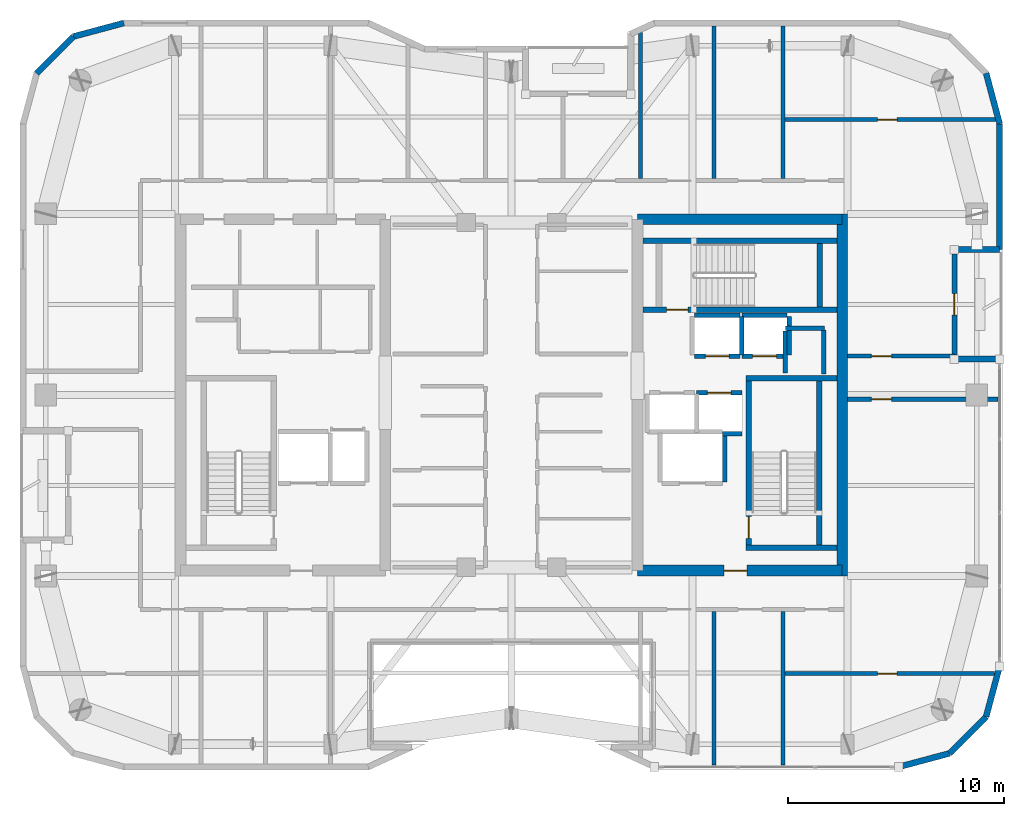
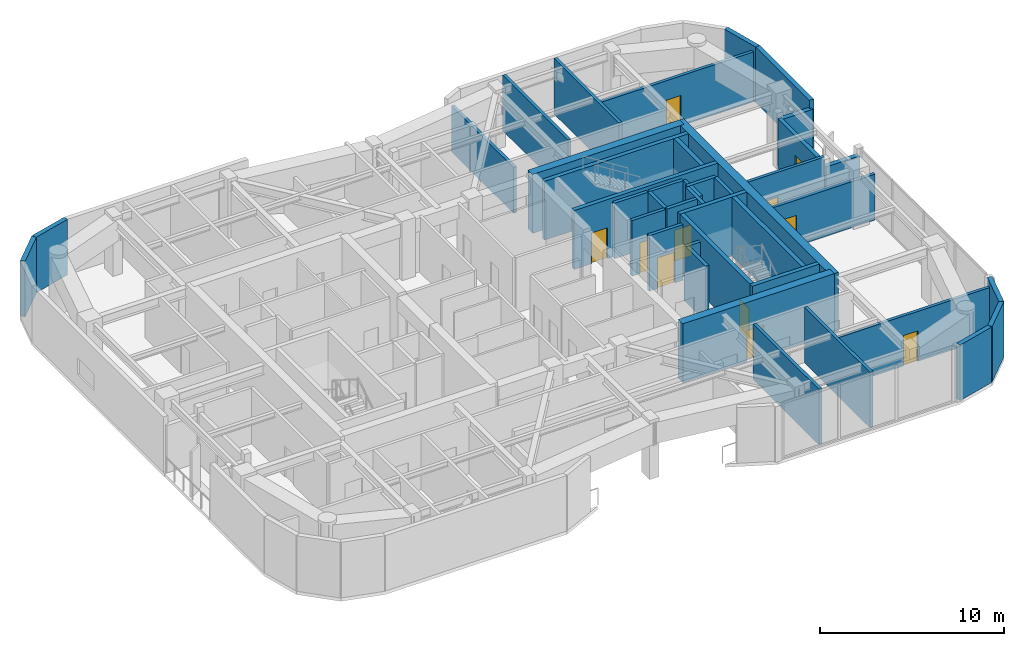
# One storey, part 13 of 16: 41 walls, 11 doors, 11 openings.
"""IFC4 building model written with IfcOpenShell, lengths in metres."""

from ifc_helpers import new_model, si_unit, direction, frame, frame_2d, origin, place, context, subcontext, project, spatial, rectangle, extrude, material, layer, layer_set, type_object, element, fill, save


model = new_model("IFC4")

# Units and contexts
model_context = context("Model", 3, precision=1e-05, world=origin(), true_north=direction((0.0, 1.0)))
body_context = subcontext(model_context, "Body", "Model", "MODEL_VIEW")
ifc_project = project(units=[si_unit("LENGTHUNIT", "METRE"), si_unit("AREAUNIT", "SQUARE_METRE"), si_unit("VOLUMEUNIT", "CUBIC_METRE"), si_unit("PLANEANGLEUNIT", "RADIAN"), si_unit("MASSUNIT", "GRAM", prefix="KILO")], contexts=[model_context])

# Site, building, storey
site_placement = place(None, origin())
site = spatial("IfcSite", under=ifc_project, at=site_placement, CompositionType="ELEMENT")
building_placement = place(site_placement, origin())
building = spatial("IfcBuilding", under=site, at=building_placement, Name="Kiyonajd Concourse Tower", CompositionType="ELEMENT")
storey_placement = place(building_placement, frame((0.0, 0.0, 298.5)))
storey = spatial("IfcBuildingStorey", under=building, at=storey_placement, Name="L75", CompositionType="ELEMENT", Elevation=298.5)

# Wall
ifc_material_1 = material(Name="Concrete C60/75", Category="concrete")
ifc_layer_1 = layer(ifc_material_1, 0.5)
ifc_layer_set_1 = layer_set([ifc_layer_1], Name="Concrete C60/75")
wall_type_1 = type_object("IfcWallType", Name="WL-CORE-500", PredefinedType="SHEAR", material=ifc_layer_set_1)
wall_1_placement = place(storey_placement, frame((63.35009765625, 27.60009765625, 0.0), z_axis=(0.0, 0.0, 1.0), x_axis=(0.0, 1.0, 0.0)))
element("IfcWall", 1, at=wall_1_placement, inside=storey, type_object=wall_type_1, Name="L75 East Core Outer Shear Wall", PredefinedType="SHEAR", context=body_context, shape_type="SweptSolid", body=[
    extrude(rectangle(XDim=16.7998046875, YDim=0.5, at=frame_2d((8.39990234375, 0.0))), origin(), (0.0, 0.0, 1.0), 3.89990234375),
])

# Wall, opening, door
wall_2_placement = place(storey_placement, frame((53.85009765625, 27.85009765625, 0.0), z_axis=(0.0, 0.0, 1.0), x_axis=(1.0, 0.0, 0.0)))
wall_2 = element("IfcWall", 2, at=wall_2_placement, inside=storey, type_object=wall_type_1, Name="L75 East Core South Shear Wall", PredefinedType="SHEAR", context=body_context, shape_type="SweptSolid", body=[
    extrude(rectangle(XDim=9.5, YDim=0.5, at=frame_2d((4.75, 0.0))), origin(), (0.0, 0.0, 1.0), 3.89990234375),
])
opening_1_placement = place(wall_2_placement, frame((4.02490234375, 0.0, 0.0)))
opening_1 = element("IfcOpeningElement", 3, at=opening_1_placement, cuts=wall_2, Name="Opening DF5", PredefinedType="OPENING", context=body_context, shape_type="SweptSolid", body=[
    extrude(rectangle(XDim=1.050048828125, YDim=2.0400390625, at=frame_2d((0.52490234375, 1.02001953125))), frame((0.0, 0.260009765625, 0.0), z_axis=(0.0, -1.0, 0.0), x_axis=(1.0, 0.0, 0.0)), (0.0, 0.0, 1.0), 0.52001953125),
])
ifc_material_2 = material(Name="Brushed Stainless Steel Cab Assembly", Category="steel")
door_type_1 = type_object("IfcDoorType", Name="DR-FD45-1050", OperationType="NOTDEFINED", PredefinedType="DOOR", material=ifc_material_2)
door_1_placement = place(opening_1_placement, origin())
door_1 = element("IfcDoor", 4, at=door_1_placement, inside=storey, type_object=door_type_1, Name="L75 Firefighting Lift Lobby E Smoke Door", OperationType="SINGLE_SWING_RIGHT", OverallHeight=2.0400390625, OverallWidth=1.050048828125, PredefinedType="DOOR", context=body_context, shape_type="SweptSolid", body=[
    extrude(rectangle(XDim=1.050048828125, YDim=2.0400390625, at=frame_2d((0.52490234375, 1.02001953125))), frame((0.0, 0.02490234375, 0.0), z_axis=(0.0, -1.0, 0.0), x_axis=(1.0, 0.0, 0.0)), (0.0, 0.0, 1.0), 0.050048828125),
])
fill(opening_1, door_1)

# Walls
wall_3_placement = place(storey_placement, frame((53.85009765625, 44.14990234375, 0.0), z_axis=(0.0, 0.0, 1.0), x_axis=(1.0, 0.0, 0.0)))
element("IfcWall", 5, at=wall_3_placement, inside=storey, type_object=wall_type_1, Name="L75 East Core North Shear Wall", PredefinedType="SHEAR", context=body_context, shape_type="SweptSolid", body=[
    extrude(rectangle(XDim=9.5, YDim=0.5, at=frame_2d((4.75, 0.0))), origin(), (0.0, 0.0, 1.0), 3.89990234375),
])
ifc_material_3 = material(Name="Precast concrete C50/60", Category="concrete")
ifc_layer_2 = layer(ifc_material_3, 0.280029296875)
ifc_layer_set_2 = layer_set([ifc_layer_2], Name="Precast concrete C50/60")
wall_type_2 = type_object("IfcWallType", Name="WL-EXT-280", PredefinedType="SOLIDWALL", material=ifc_layer_set_2)
wall_4_placement = place(storey_placement, frame((70.031494140625, 50.927490234375, 0.0), z_axis=(0.0, 0.0, 1.0), x_axis=(0.258751159445, -0.965944013639, 0.0)))
element("IfcWall", 6, at=wall_4_placement, inside=storey, type_object=wall_type_2, Name="L75 Exterior Concrete Frame Wall 00", PredefinedType="SOLIDWALL", context=body_context, shape_type="SweptSolid", body=[
    extrude(rectangle(XDim=2.4287109375, YDim=0.280029296875, at=frame_2d((1.21435546875, 0.0))), origin(), (0.0, 0.0, 1.0), 3.679931640625),
])
wall_5_placement = place(storey_placement, frame((70.659912109375, 48.58154296875, 0.0), z_axis=(0.0, 0.0, 1.0), x_axis=(0.0, -1.0, 0.0)))
element("IfcWall", 7, at=wall_5_placement, inside=storey, type_object=wall_type_2, Name="L75 Exterior Concrete Frame Wall 01", PredefinedType="SOLIDWALL", context=body_context, shape_type="SweptSolid", body=[
    extrude(rectangle(XDim=5.841552734375, YDim=0.280029296875, at=frame_2d((2.9208984375, 0.0))), origin(), (0.0, 0.0, 1.0), 3.679931640625),
])
for number, where, z_axis, x_axis, name in (
    (8, (70.659912109375, 42.739990234375, 0.0), (0.0, 0.0, 1.0), (-1.0, 0.0, 0.0), "L75 Exterior Concrete Frame Wall 02"),
    (9, (68.56005859375, 37.659912109375, 0.0), (0.0, 0.0, 1.0), (1.0, 0.0, 0.0), "L75 Exterior Concrete Frame Wall 04"),
):
    element("IfcWall", number, at=place(storey_placement, frame(where, z_axis=z_axis, x_axis=x_axis)), inside=storey, type_object=wall_type_2, Name=name, PredefinedType="SOLIDWALL", context=body_context, shape_type="SweptSolid", body=[
        extrude(rectangle(XDim=2.099853515625, YDim=0.280029296875, at=frame_2d((1.0498046875, 0.0))), origin(), (0.0, 0.0, 1.0), 3.1259765625),
    ])
wall_6_placement = place(storey_placement, frame((70.659912109375, 23.41845703125, 0.0), z_axis=(0.0, 0.0, 1.0), x_axis=(-0.258751159445, -0.965944013639, 0.0)))
element("IfcWall", 10, at=wall_6_placement, inside=storey, type_object=wall_type_2, Name="L75 Exterior Concrete Frame Wall 06", PredefinedType="SOLIDWALL", context=body_context, shape_type="SweptSolid", body=[
    extrude(rectangle(XDim=2.4287109375, YDim=0.280029296875, at=frame_2d((1.21435546875, 0.0))), origin(), (0.0, 0.0, 1.0), 3.679931640625),
])
wall_7_placement = place(storey_placement, frame((70.031494140625, 21.072509765625, 0.0), z_axis=(0.0, 0.0, 1.0), x_axis=(-0.707106781187, -0.707106781187, 0.0)))
element("IfcWall", 11, at=wall_7_placement, inside=storey, type_object=wall_type_2, Name="L75 Exterior Concrete Frame Wall 07", PredefinedType="SOLIDWALL", context=body_context, shape_type="SweptSolid", body=[
    extrude(rectangle(XDim=2.409912109375, YDim=0.280029296875, at=frame_2d((1.205078125, 0.0))), origin(), (0.0, 0.0, 1.0), 3.679931640625),
])
wall_8_placement = place(storey_placement, frame((68.327392578125, 19.368408203125, 0.0), z_axis=(0.0, 0.0, 1.0), x_axis=(-0.965937282298, -0.25877628691, 0.0)))
element("IfcWall", 12, at=wall_8_placement, inside=storey, type_object=wall_type_2, Name="L75 Exterior Concrete Frame Wall 08", PredefinedType="SOLIDWALL", context=body_context, shape_type="SweptSolid", body=[
    extrude(rectangle(XDim=2.428466796875, YDim=0.280029296875, at=frame_2d((1.21435546875, 0.0))), origin(), (0.0, 0.0, 1.0), 3.679931640625),
])
wall_9_placement = place(storey_placement, frame((25.968505859375, 50.927490234375, 0.0), z_axis=(0.0, 0.0, 1.0), x_axis=(0.707106781187, 0.707106781187, 0.0)))
element("IfcWall", 13, at=wall_9_placement, inside=storey, type_object=wall_type_2, Name="L75 Exterior Concrete Frame Wall 27", PredefinedType="SOLIDWALL", context=body_context, shape_type="SweptSolid", body=[
    extrude(rectangle(XDim=2.409912109375, YDim=0.280029296875, at=frame_2d((1.205078125, 0.0))), origin(), (0.0, 0.0, 1.0), 3.679931640625),
])
wall_10_placement = place(storey_placement, frame((27.672607421875, 52.631591796875, 0.0), z_axis=(0.0, 0.0, 1.0), x_axis=(0.965937282298, 0.25877628691, 0.0)))
element("IfcWall", 14, at=wall_10_placement, inside=storey, type_object=wall_type_2, Name="L75 Exterior Concrete Frame Wall 28", PredefinedType="SOLIDWALL", context=body_context, shape_type="SweptSolid", body=[
    extrude(rectangle(XDim=2.428466796875, YDim=0.280029296875, at=frame_2d((1.21435546875, 0.0))), origin(), (0.0, 0.0, 1.0), 3.679931640625),
])

# Wall, opening, door
ifc_layer_3 = layer(ifc_material_3, 0.239990234375)
ifc_layer_set_3 = layer_set([ifc_layer_3], Name="Precast concrete C50/60")
wall_type_3 = type_object("IfcWallType", Name="WL-LOG-240", PredefinedType="SOLIDWALL", material=ifc_layer_set_3)
wall_11_placement = place(storey_placement, frame((68.56005859375, 42.544921875, 0.0), z_axis=(0.0, 0.0, 1.0), x_axis=(0.0, -1.0, 0.0)))
wall_11 = element("IfcWall", 15, at=wall_11_placement, inside=storey, type_object=wall_type_3, Name="L75 Recessed Loggia Thermal Wall LOG-E", PredefinedType="SOLIDWALL", context=body_context, shape_type="SweptSolid", body=[
    extrude(rectangle(XDim=4.68994140625, YDim=0.239990234375, at=frame_2d((2.344970703125, 0.0))), origin(), (0.0, 0.0, 1.0), 3.31103515625),
])
opening_2_placement = place(wall_11_placement, frame((1.844970703125, 0.0, 0.0)))
opening_2 = element("IfcOpeningElement", 16, at=opening_2_placement, cuts=wall_11, Name="Opening DL1", PredefinedType="OPENING", context=body_context, shape_type="SweptSolid", body=[
    extrude(rectangle(XDim=1.0, YDim=2.02001953125, at=frame_2d((0.5, 1.010009765625))), frame((0.0, 0.1298828125, 0.0), z_axis=(0.0, -1.0, 0.0), x_axis=(1.0, 0.0, 0.0)), (0.0, 0.0, 1.0), 0.260009765625),
])
ifc_material_4 = material(Name="Thermally Broken Anodised Aluminium", Category="aluminium")
door_type_2 = type_object("IfcDoorType", Name="DR-LOG-1000", OperationType="NOTDEFINED", PredefinedType="DOOR", material=ifc_material_4)
door_2_placement = place(opening_2_placement, origin())
door_2 = element("IfcDoor", 17, at=door_2_placement, inside=storey, type_object=door_type_2, Name="L75 Engawa Loggia Access Door LOG-E", OperationType="SINGLE_SWING_RIGHT", OverallHeight=2.02001953125, OverallWidth=1.0, PredefinedType="DOOR", context=body_context, shape_type="SweptSolid", body=[
    extrude(rectangle(XDim=1.0, YDim=2.02001953125, at=frame_2d((0.5, 1.010009765625))), frame((0.0, 0.02490234375, 0.0), z_axis=(0.0, -1.0, 0.0), x_axis=(1.0, 0.0, 0.0)), (0.0, 0.0, 1.0), 0.050048828125),
])
fill(opening_2, door_2)

# Wall
ifc_material_5 = material(Name="Gypsum Board on Cold-Formed Steel Stud", Category="steel")
ifc_layer_4 = layer(ifc_material_5, 0.18994140625)
ifc_layer_set_4 = layer_set([ifc_layer_4], Name="Gypsum Board on Cold-Formed Steel Stud")
wall_type_4 = type_object("IfcWallType", Name="WL-PLMB-190", PredefinedType="PLUMBINGWALL", material=ifc_layer_set_4)
wall_12_placement = place(storey_placement, frame((57.39990234375, 18.824951171875, 0.0), z_axis=(0.0, 0.0, 1.0), x_axis=(0.0, 1.0, 0.0)))
element("IfcWall", 18, at=wall_12_placement, inside=storey, type_object=wall_type_4, Name="L75 Interior Partition Wall", PredefinedType="PLUMBINGWALL", context=body_context, shape_type="SweptSolid", body=[
    extrude(rectangle(XDim=7.1279296875, YDim=0.18994140625, at=frame_2d((3.56396484375, 0.0))), origin(), (0.0, 0.0, 1.0), 3.679931640625),
])

# Wall, opening, door
wall_13_placement = place(storey_placement, frame((60.60009765625, 23.070068359375, 0.0), z_axis=(0.0, 0.0, 1.0), x_axis=(1.0, 0.0, 0.0)))
wall_13 = element("IfcWall", 19, at=wall_13_placement, inside=storey, type_object=wall_type_4, Name="L75 Interior Partition Wall", PredefinedType="PLUMBINGWALL", context=body_context, shape_type="SweptSolid", body=[
    extrude(rectangle(XDim=9.824951171875, YDim=0.18994140625, at=frame_2d((4.91259765625, 0.0))), origin(), (0.0, 0.0, 1.0), 3.31103515625),
])
opening_3_placement = place(wall_13_placement, frame((4.39990234375, 0.0, 0.0)))
opening_3 = element("IfcOpeningElement", 20, at=opening_3_placement, cuts=wall_13, Name="Opening DI2", PredefinedType="OPENING", context=body_context, shape_type="SweptSolid", body=[
    extrude(rectangle(XDim=0.89990234375, YDim=2.02001953125, at=frame_2d((0.449951171875, 1.010009765625))), frame((0.0, 0.10498046875, 0.0), z_axis=(0.0, -1.0, 0.0), x_axis=(1.0, 0.0, 0.0)), (0.0, 0.0, 1.0), 0.2099609375),
])
ifc_material_6 = material(Name="Natural Oak Acoustic Timber Veneer", Category="wood")
door_type_3 = type_object("IfcDoorType", Name="DR-INT-900", OperationType="NOTDEFINED", PredefinedType="DOOR", material=ifc_material_6)
door_3_placement = place(opening_3_placement, origin())
door_3 = element("IfcDoor", 21, at=door_3_placement, inside=storey, type_object=door_type_3, Name="L75 Interior Door", OperationType="SINGLE_SWING_RIGHT", OverallHeight=2.02001953125, OverallWidth=0.89990234375, PredefinedType="DOOR", context=body_context, shape_type="SweptSolid", body=[
    extrude(rectangle(XDim=0.89990234375, YDim=2.02001953125, at=frame_2d((0.449951171875, 1.010009765625))), frame((0.0, 0.02490234375, 0.0), z_axis=(0.0, -1.0, 0.0), x_axis=(1.0, 0.0, 0.0)), (0.0, 0.0, 1.0), 0.050048828125),
])
fill(opening_3, door_3)

# Walls
wall_14_placement = place(storey_placement, frame((60.60009765625, 18.824951171875, 0.0), z_axis=(0.0, 0.0, 1.0), x_axis=(0.0, 1.0, 0.0)))
element("IfcWall", 22, at=wall_14_placement, inside=storey, type_object=wall_type_4, Name="L75 Interior Partition Wall", PredefinedType="PLUMBINGWALL", context=body_context, shape_type="SweptSolid", body=[
    extrude(rectangle(XDim=7.1279296875, YDim=0.18994140625, at=frame_2d((3.56396484375, 0.0))), origin(), (0.0, 0.0, 1.0), 3.679931640625),
])
wall_15_placement = place(storey_placement, frame((54.0, 46.047119140625, 0.0), z_axis=(0.0, 0.0, 1.0), x_axis=(0.0, 1.0, 0.0)))
element("IfcWall", 23, at=wall_15_placement, inside=storey, type_object=wall_type_4, Name="L75 Interior Partition Wall", PredefinedType="PLUMBINGWALL", context=body_context, shape_type="SweptSolid", body=[
    extrude(rectangle(XDim=6.769775390625, YDim=0.18994140625, at=frame_2d((3.384765625, 0.0))), origin(), (0.0, 0.0, 1.0), 3.04296875),
])
wall_16_placement = place(storey_placement, frame((57.39990234375, 46.047119140625, 0.0), z_axis=(0.0, 0.0, 1.0), x_axis=(0.0, 1.0, 0.0)))
element("IfcWall", 24, at=wall_16_placement, inside=storey, type_object=wall_type_4, Name="L75 Interior Partition Wall", PredefinedType="PLUMBINGWALL", context=body_context, shape_type="SweptSolid", body=[
    extrude(rectangle(XDim=7.077880859375, YDim=0.18994140625, at=frame_2d((3.5390625, 0.0))), origin(), (0.0, 0.0, 1.0), 3.679931640625),
])

# Wall, opening, door
wall_17_placement = place(storey_placement, frame((60.60009765625, 48.780029296875, 0.0), z_axis=(0.0, 0.0, 1.0), x_axis=(1.0, 0.0, 0.0)))
wall_17 = element("IfcWall", 25, at=wall_17_placement, inside=storey, type_object=wall_type_4, Name="L75 Interior Partition Wall", PredefinedType="PLUMBINGWALL", context=body_context, shape_type="SweptSolid", body=[
    extrude(rectangle(XDim=9.864990234375, YDim=0.18994140625, at=frame_2d((4.9326171875, 0.0))), origin(), (0.0, 0.0, 1.0), 3.31103515625),
])
opening_4_placement = place(wall_17_placement, frame((4.39990234375, 0.0, 0.0)))
opening_4 = element("IfcOpeningElement", 26, at=opening_4_placement, cuts=wall_17, Name="Opening DI2", PredefinedType="OPENING", context=body_context, shape_type="SweptSolid", body=[
    extrude(rectangle(XDim=0.89990234375, YDim=2.02001953125, at=frame_2d((0.449951171875, 1.010009765625))), frame((0.0, 0.10498046875, 0.0), z_axis=(0.0, -1.0, 0.0), x_axis=(1.0, 0.0, 0.0)), (0.0, 0.0, 1.0), 0.2099609375),
])
door_4_placement = place(opening_4_placement, origin())
door_4 = element("IfcDoor", 27, at=door_4_placement, inside=storey, type_object=door_type_3, Name="L75 Interior Door", OperationType="SINGLE_SWING_LEFT", OverallHeight=2.02001953125, OverallWidth=0.89990234375, PredefinedType="DOOR", context=body_context, shape_type="SweptSolid", body=[
    extrude(rectangle(XDim=0.89990234375, YDim=2.02001953125, at=frame_2d((0.449951171875, 1.010009765625))), frame((0.0, 0.02490234375, 0.0), z_axis=(0.0, -1.0, 0.0), x_axis=(1.0, 0.0, 0.0)), (0.0, 0.0, 1.0), 0.050048828125),
])
fill(opening_4, door_4)

# Wall
wall_18_placement = place(storey_placement, frame((60.60009765625, 46.047119140625, 0.0), z_axis=(0.0, 0.0, 1.0), x_axis=(0.0, 1.0, 0.0)))
element("IfcWall", 28, at=wall_18_placement, inside=storey, type_object=wall_type_4, Name="L75 Interior Partition Wall", PredefinedType="PLUMBINGWALL", context=body_context, shape_type="SweptSolid", body=[
    extrude(rectangle(XDim=7.077880859375, YDim=0.18994140625, at=frame_2d((3.5390625, 0.0))), origin(), (0.0, 0.0, 1.0), 3.679931640625),
])

# Wall, opening, door
wall_19_placement = place(storey_placement, frame((63.60009765625, 35.800048828125, 0.0), z_axis=(0.0, 0.0, 1.0), x_axis=(1.0, 0.0, 0.0)))
wall_19 = element("IfcWall", 29, at=wall_19_placement, inside=storey, type_object=wall_type_4, Name="L75 Interior Partition Wall", PredefinedType="PLUMBINGWALL", context=body_context, shape_type="SweptSolid", body=[
    extrude(rectangle(XDim=6.974853515625, YDim=0.18994140625, at=frame_2d((3.4873046875, 0.0))), origin(), (0.0, 0.0, 1.0), 3.053955078125),
])
opening_5_placement = place(wall_19_placement, frame((1.10009765625, 0.0, 0.0)))
opening_5 = element("IfcOpeningElement", 30, at=opening_5_placement, cuts=wall_19, Name="Opening DI1", PredefinedType="OPENING", context=body_context, shape_type="SweptSolid", body=[
    extrude(rectangle(XDim=0.949951171875, YDim=2.0400390625, at=frame_2d((0.47509765625, 1.02001953125))), frame((0.0, 0.10498046875, 0.0), z_axis=(0.0, -1.0, 0.0), x_axis=(1.0, 0.0, 0.0)), (0.0, 0.0, 1.0), 0.2099609375),
])
door_type_4 = type_object("IfcDoorType", Name="DR-INT-950", OperationType="NOTDEFINED", PredefinedType="DOOR", material=ifc_material_6)
door_5_placement = place(opening_5_placement, origin())
door_5 = element("IfcDoor", 31, at=door_5_placement, inside=storey, type_object=door_type_4, Name="L75 Interior Door", OperationType="SINGLE_SWING_LEFT", OverallHeight=2.0400390625, OverallWidth=0.949951171875, PredefinedType="DOOR", context=body_context, shape_type="SweptSolid", body=[
    extrude(rectangle(XDim=0.949951171875, YDim=2.0400390625, at=frame_2d((0.47509765625, 1.02001953125))), frame((0.0, 0.02490234375, 0.0), z_axis=(0.0, -1.0, 0.0), x_axis=(1.0, 0.0, 0.0)), (0.0, 0.0, 1.0), 0.050048828125),
])
fill(opening_5, door_5)

wall_20_placement = place(storey_placement, frame((63.60009765625, 37.800048828125, 0.0), z_axis=(0.0, 0.0, 1.0), x_axis=(1.0, 0.0, 0.0)))
wall_20 = element("IfcWall", 32, at=wall_20_placement, inside=storey, type_object=wall_type_4, Name="L75 Interior Partition Wall", PredefinedType="PLUMBINGWALL", context=body_context, shape_type="SweptSolid", body=[
    extrude(rectangle(XDim=4.9599609375, YDim=0.18994140625, at=frame_2d((2.47998046875, 0.0))), origin(), (0.0, 0.0, 1.0), 3.679931640625),
])
opening_6_placement = place(wall_20_placement, frame((1.10009765625, 0.0, 0.0)))
opening_6 = element("IfcOpeningElement", 33, at=opening_6_placement, cuts=wall_20, Name="Opening DI1", PredefinedType="OPENING", context=body_context, shape_type="SweptSolid", body=[
    extrude(rectangle(XDim=0.949951171875, YDim=2.0400390625, at=frame_2d((0.47509765625, 1.02001953125))), frame((0.0, 0.10498046875, 0.0), z_axis=(0.0, -1.0, 0.0), x_axis=(1.0, 0.0, 0.0)), (0.0, 0.0, 1.0), 0.2099609375),
])
door_6_placement = place(opening_6_placement, origin())
door_6 = element("IfcDoor", 34, at=door_6_placement, inside=storey, type_object=door_type_4, Name="L75 Interior Door", OperationType="SINGLE_SWING_RIGHT", OverallHeight=2.0400390625, OverallWidth=0.949951171875, PredefinedType="DOOR", context=body_context, shape_type="SweptSolid", body=[
    extrude(rectangle(XDim=0.949951171875, YDim=2.0400390625, at=frame_2d((0.47509765625, 1.02001953125))), frame((0.0, 0.02490234375, 0.0), z_axis=(0.0, -1.0, 0.0), x_axis=(1.0, 0.0, 0.0)), (0.0, 0.0, 1.0), 0.050048828125),
])
fill(opening_6, door_6)

# Walls
ifc_layer_5 = layer(ifc_material_5, 0.2099609375)
ifc_layer_set_5 = layer_set([ifc_layer_5], Name="Gypsum Board on Cold-Formed Steel Stud")
wall_type_5 = type_object("IfcWallType", Name="WL-SHAFT-210", PredefinedType="PARTITIONING", material=ifc_layer_set_5)
wall_21_placement = place(storey_placement, frame((60.719970703125, 39.10009765625, 0.0), z_axis=(0.0, 0.0, 1.0), x_axis=(1.0, 0.0, 0.0)))
element("IfcWall", 35, at=wall_21_placement, inside=storey, type_object=wall_type_5, Name="L75 Shaft Enclosure Wall", PredefinedType="PARTITIONING", context=body_context, shape_type="SweptSolid", body=[
    extrude(rectangle(XDim=1.800048828125, YDim=0.2099609375, at=frame_2d((0.89990234375, 0.0))), origin(), (0.0, 0.0, 1.0), 3.679931640625),
])
wall_22_placement = place(storey_placement, frame((60.699951171875, 37.02001953125, 0.0), z_axis=(0.0, 0.0, 1.0), x_axis=(0.0, 1.0, 0.0)))
element("IfcWall", 36, at=wall_22_placement, inside=storey, type_object=wall_type_5, Name="L75 Shaft Enclosure Wall", PredefinedType="PARTITIONING", context=body_context, shape_type="SweptSolid", body=[
    extrude(rectangle(XDim=1.9599609375, YDim=0.2099609375, at=frame_2d((0.97998046875, 0.0))), origin(), (0.0, 0.0, 1.0), 3.679931640625),
])
wall_23_placement = place(storey_placement, frame((62.5, 36.97998046875, 0.0), z_axis=(0.0, 0.0, 1.0), x_axis=(0.0, 1.0, 0.0)))
element("IfcWall", 37, at=wall_23_placement, inside=storey, type_object=wall_type_5, Name="L75 Shaft Enclosure Wall", PredefinedType="PARTITIONING", context=body_context, shape_type="SweptSolid", body=[
    extrude(rectangle(XDim=2.0400390625, YDim=0.2099609375, at=frame_2d((1.02001953125, 0.0))), origin(), (0.0, 0.0, 1.0), 3.679931640625),
])
wall_24_placement = place(storey_placement, frame((57.89990234375, 31.9599609375, 0.0), z_axis=(0.0, 0.0, 1.0), x_axis=(0.0, 1.0, 0.0)))
element("IfcWall", 38, at=wall_24_placement, inside=storey, type_object=wall_type_5, Name="L75 Shaft Enclosure Wall", PredefinedType="PARTITIONING", context=body_context, shape_type="SweptSolid", body=[
    extrude(rectangle(XDim=2.280029296875, YDim=0.2099609375, at=frame_2d((1.14013671875, 0.0))), origin(), (0.0, 0.0, 1.0), 3.679931640625),
])

# Wall, opening, door
wall_25_placement = place(storey_placement, frame((56.60009765625, 36.10009765625, 0.0), z_axis=(0.0, 0.0, 1.0), x_axis=(1.0, 0.0, 0.0)))
wall_25 = element("IfcWall", 39, at=wall_25_placement, inside=storey, type_object=wall_type_5, Name="L75 Shaft Enclosure Wall", PredefinedType="PARTITIONING", context=body_context, shape_type="SweptSolid", body=[
    extrude(rectangle(XDim=2.099853515625, YDim=0.2099609375, at=frame_2d((1.0498046875, 0.0))), origin(), (0.0, 0.0, 1.0), 3.679931640625),
])
opening_7_placement = place(wall_25_placement, frame((0.5, 0.0, 0.0)))
opening_7 = element("IfcOpeningElement", 40, at=opening_7_placement, cuts=wall_25, Name="Opening LD1", PredefinedType="OPENING", context=body_context, shape_type="SweptSolid", body=[
    extrude(rectangle(XDim=1.10009765625, YDim=2.0400390625, at=frame_2d((0.550048828125, 1.02001953125))), frame((0.0, 0.114990234375, 0.0), z_axis=(0.0, -1.0, 0.0), x_axis=(1.0, 0.0, 0.0)), (0.0, 0.0, 1.0), 0.22998046875),
])
door_type_5 = type_object("IfcDoorType", Name="DR-LD-1100", OperationType="DOUBLE_DOOR_SLIDING", PredefinedType="DOOR", material=ifc_material_2)
door_7_placement = place(opening_7_placement, origin())
door_7 = element("IfcDoor", 41, at=door_7_placement, inside=storey, type_object=door_type_5, Name="L75 Lift PL-H2 Sliding Landing Door", OperationType="DOUBLE_DOOR_SLIDING", OverallHeight=2.0400390625, OverallWidth=1.10009765625, PredefinedType="DOOR", context=body_context, shape_type="SweptSolid", body=[
    extrude(rectangle(XDim=1.10009765625, YDim=2.0400390625, at=frame_2d((0.550048828125, 1.02001953125))), frame((0.0, 0.02490234375, 0.0), z_axis=(0.0, -1.0, 0.0), x_axis=(1.0, 0.0, 0.0)), (0.0, 0.0, 1.0), 0.050048828125),
])
fill(opening_7, door_7)

# Wall
wall_26_placement = place(storey_placement, frame((57.800048828125, 34.199951171875, 0.0), z_axis=(0.0, 0.0, 1.0), x_axis=(1.0, 0.0, 0.0)))
element("IfcWall", 42, at=wall_26_placement, inside=storey, type_object=wall_type_5, Name="L75 Shaft Enclosure Wall", PredefinedType="PARTITIONING", context=body_context, shape_type="SweptSolid", body=[
    extrude(rectangle(XDim=0.89990234375, YDim=0.2099609375, at=frame_2d((0.449951171875, 0.0))), origin(), (0.0, 0.0, 1.0), 3.679931640625),
])

# Wall, opening, door
wall_27_placement = place(storey_placement, frame((56.5, 37.800048828125, 0.0), z_axis=(0.0, 0.0, 1.0), x_axis=(1.0, 0.0, 0.0)))
wall_27 = element("IfcWall", 43, at=wall_27_placement, inside=storey, type_object=wall_type_5, Name="L75 Shaft Enclosure Wall", PredefinedType="PARTITIONING", context=body_context, shape_type="SweptSolid", body=[
    extrude(rectangle(XDim=2.10009765625, YDim=0.2099609375, at=frame_2d((1.050048828125, 0.0))), origin(), (0.0, 0.0, 1.0), 3.679931640625),
])
opening_8_placement = place(wall_27_placement, frame((0.5, 0.0, 0.0)))
opening_8 = element("IfcOpeningElement", 44, at=opening_8_placement, cuts=wall_27, Name="Opening LD1", PredefinedType="OPENING", context=body_context, shape_type="SweptSolid", body=[
    extrude(rectangle(XDim=1.10009765625, YDim=2.0400390625, at=frame_2d((0.550048828125, 1.02001953125))), frame((0.0, 0.114990234375, 0.0), z_axis=(0.0, -1.0, 0.0), x_axis=(1.0, 0.0, 0.0)), (0.0, 0.0, 1.0), 0.22998046875),
])
door_8_placement = place(opening_8_placement, origin())
door_8 = element("IfcDoor", 45, at=door_8_placement, inside=storey, type_object=door_type_5, Name="L75 Lift PL-H3 Sliding Landing Door", OperationType="DOUBLE_DOOR_SLIDING", OverallHeight=2.0400390625, OverallWidth=1.10009765625, PredefinedType="DOOR", context=body_context, shape_type="SweptSolid", body=[
    extrude(rectangle(XDim=1.10009765625, YDim=2.0400390625, at=frame_2d((0.550048828125, 1.02001953125))), frame((0.0, 0.02490234375, 0.0), z_axis=(0.0, -1.0, 0.0), x_axis=(1.0, 0.0, 0.0)), (0.0, 0.0, 1.0), 0.050048828125),
])
fill(opening_8, door_8)

# Walls
wall_28_placement = place(storey_placement, frame((56.5, 39.699951171875, 0.0), z_axis=(0.0, 0.0, 1.0), x_axis=(1.0, 0.0, 0.0)))
element("IfcWall", 46, at=wall_28_placement, inside=storey, type_object=wall_type_5, Name="L75 Shaft Enclosure Wall", PredefinedType="PARTITIONING", context=body_context, shape_type="SweptSolid", body=[
    extrude(rectangle(XDim=2.10009765625, YDim=0.2099609375, at=frame_2d((1.050048828125, 0.0))), origin(), (0.0, 0.0, 1.0), 3.679931640625),
])
wall_29_placement = place(storey_placement, frame((58.699951171875, 37.860107421875, 0.0), z_axis=(0.0, 0.0, 1.0), x_axis=(0.0, 1.0, 0.0)))
element("IfcWall", 47, at=wall_29_placement, inside=storey, type_object=wall_type_5, Name="L75 Shaft Enclosure Wall", PredefinedType="PARTITIONING", context=body_context, shape_type="SweptSolid", body=[
    extrude(rectangle(XDim=1.77978515625, YDim=0.2099609375, at=frame_2d((0.889892578125, 0.0))), origin(), (0.0, 0.0, 1.0), 3.679931640625),
])

# Wall, opening, door
wall_30_placement = place(storey_placement, frame((58.699951171875, 37.800048828125, 0.0), z_axis=(0.0, 0.0, 1.0), x_axis=(1.0, 0.0, 0.0)))
wall_30 = element("IfcWall", 48, at=wall_30_placement, inside=storey, type_object=wall_type_5, Name="L75 Shaft Enclosure Wall", PredefinedType="PARTITIONING", context=body_context, shape_type="SweptSolid", body=[
    extrude(rectangle(XDim=2.10009765625, YDim=0.2099609375, at=frame_2d((1.050048828125, 0.0))), origin(), (0.0, 0.0, 1.0), 3.679931640625),
])
opening_9_placement = place(wall_30_placement, frame((0.5, 0.0, 0.0)))
opening_9 = element("IfcOpeningElement", 49, at=opening_9_placement, cuts=wall_30, Name="Opening LD1", PredefinedType="OPENING", context=body_context, shape_type="SweptSolid", body=[
    extrude(rectangle(XDim=1.10009765625, YDim=2.0400390625, at=frame_2d((0.550048828125, 1.02001953125))), frame((0.0, 0.114990234375, 0.0), z_axis=(0.0, -1.0, 0.0), x_axis=(1.0, 0.0, 0.0)), (0.0, 0.0, 1.0), 0.22998046875),
])
door_9_placement = place(opening_9_placement, origin())
door_9 = element("IfcDoor", 50, at=door_9_placement, inside=storey, type_object=door_type_5, Name="L75 Lift PL-H4 Sliding Landing Door", OperationType="DOUBLE_DOOR_SLIDING", OverallHeight=2.0400390625, OverallWidth=1.10009765625, PredefinedType="DOOR", context=body_context, shape_type="SweptSolid", body=[
    extrude(rectangle(XDim=1.10009765625, YDim=2.0400390625, at=frame_2d((0.550048828125, 1.02001953125))), frame((0.0, 0.02490234375, 0.0), z_axis=(0.0, -1.0, 0.0), x_axis=(1.0, 0.0, 0.0)), (0.0, 0.0, 1.0), 0.050048828125),
])
fill(opening_9, door_9)

# Walls
wall_31_placement = place(storey_placement, frame((58.699951171875, 39.699951171875, 0.0), z_axis=(0.0, 0.0, 1.0), x_axis=(1.0, 0.0, 0.0)))
element("IfcWall", 51, at=wall_31_placement, inside=storey, type_object=wall_type_5, Name="L75 Shaft Enclosure Wall", PredefinedType="PARTITIONING", context=body_context, shape_type="SweptSolid", body=[
    extrude(rectangle(XDim=2.10009765625, YDim=0.2099609375, at=frame_2d((1.050048828125, 0.0))), origin(), (0.0, 0.0, 1.0), 3.679931640625),
])
wall_32_placement = place(storey_placement, frame((60.89990234375, 37.860107421875, 0.0), z_axis=(0.0, 0.0, 1.0), x_axis=(0.0, 1.0, 0.0)))
element("IfcWall", 52, at=wall_32_placement, inside=storey, type_object=wall_type_5, Name="L75 Shaft Enclosure Wall", PredefinedType="PARTITIONING", context=body_context, shape_type="SweptSolid", body=[
    extrude(rectangle(XDim=1.77978515625, YDim=0.2099609375, at=frame_2d((0.889892578125, 0.0))), origin(), (0.0, 0.0, 1.0), 3.679931640625),
])
ifc_material_7 = material(Name="Concrete C50/60", Category="concrete")
ifc_layer_6 = layer(ifc_material_7, 0.260009765625)
ifc_layer_set_6 = layer_set([ifc_layer_6], Name="Concrete C50/60")
wall_type_6 = type_object("IfcWallType", Name="WL-STAIR-260", PredefinedType="SHEAR", material=ifc_layer_set_6)
for number, where, z_axis, x_axis, name in (
    (53, (58.889892578125, 28.919921875, 0.0), (0.0, 0.0, 1.0), (1.0, 0.0, 0.0), "L75 Stair ST2 Structural South Wall"),
    (54, (58.889892578125, 36.780029296875, 0.0), (0.0, 0.0, 1.0), (1.0, 0.0, 0.0), "L75 Stair ST2 Structural North Wall"),
):
    element("IfcWall", number, at=place(storey_placement, frame(where, z_axis=z_axis, x_axis=x_axis)), inside=storey, type_object=wall_type_6, Name=name, PredefinedType="SHEAR", context=body_context, shape_type="SweptSolid", body=[
        extrude(rectangle(XDim=4.210205078125, YDim=0.260009765625, at=frame_2d((2.10498046875, 0.0))), origin(), (0.0, 0.0, 1.0), 3.89990234375),
    ])

# Wall, opening, door
wall_33_placement = place(storey_placement, frame((59.02001953125, 29.050048828125, 0.0), z_axis=(0.0, 0.0, 1.0), x_axis=(0.0, 1.0, 0.0)))
wall_33 = element("IfcWall", 55, at=wall_33_placement, inside=storey, type_object=wall_type_6, Name="L75 Stair ST2 Structural West Wall", PredefinedType="SHEAR", context=body_context, shape_type="SweptSolid", body=[
    extrude(rectangle(XDim=7.599853515625, YDim=0.260009765625, at=frame_2d((3.7998046875, 0.0))), origin(), (0.0, 0.0, 1.0), 3.89990234375),
])
opening_10_placement = place(wall_33_placement, frame((0.300048828125, 0.0, 0.0)))
opening_10 = element("IfcOpeningElement", 56, at=opening_10_placement, cuts=wall_33, Name="Opening DF1", PredefinedType="OPENING", context=body_context, shape_type="SweptSolid", body=[
    extrude(rectangle(XDim=1.0, YDim=2.0400390625, at=frame_2d((0.5, 1.02001953125))), frame((0.0, 0.139892578125, 0.0), z_axis=(0.0, -1.0, 0.0), x_axis=(1.0, 0.0, 0.0)), (0.0, 0.0, 1.0), 0.280029296875),
])
door_type_6 = type_object("IfcDoorType", Name="DR-FD90-1000", OperationType="NOTDEFINED", PredefinedType="DOOR", material=ifc_material_2)
door_10_placement = place(opening_10_placement, origin())
door_10 = element("IfcDoor", 57, at=door_10_placement, inside=storey, type_object=door_type_6, Name="L75 Stair ST2 FSAE Door", OperationType="SINGLE_SWING_RIGHT", OverallHeight=2.0400390625, OverallWidth=1.0, PredefinedType="DOOR", context=body_context, shape_type="SweptSolid", body=[
    extrude(rectangle(XDim=1.0, YDim=2.0400390625, at=frame_2d((0.5, 1.02001953125))), frame((0.0, 0.02490234375, 0.0), z_axis=(0.0, -1.0, 0.0), x_axis=(1.0, 0.0, 0.0)), (0.0, 0.0, 1.0), 0.050048828125),
])
fill(opening_10, door_10)

# Wall
wall_34_placement = place(storey_placement, frame((62.280029296875, 29.050048828125, 0.0), z_axis=(0.0, 0.0, 1.0), x_axis=(0.0, 1.0, 0.0)))
element("IfcWall", 58, at=wall_34_placement, inside=storey, type_object=wall_type_6, Name="L75 Stair ST2 Structural East Wall", PredefinedType="SHEAR", context=body_context, shape_type="SweptSolid", body=[
    extrude(rectangle(XDim=7.599853515625, YDim=0.260009765625, at=frame_2d((3.7998046875, 0.0))), origin(), (0.0, 0.0, 1.0), 3.89990234375),
])

# Wall, opening, door
wall_35_placement = place(storey_placement, frame((54.10009765625, 39.949951171875, 0.0), z_axis=(0.0, 0.0, 1.0), x_axis=(1.0, 0.0, 0.0)))
wall_35 = element("IfcWall", 59, at=wall_35_placement, inside=storey, type_object=wall_type_6, Name="L75 Stair ST3 Structural South Wall", PredefinedType="SHEAR", context=body_context, shape_type="SweptSolid", body=[
    extrude(rectangle(XDim=9.0, YDim=0.260009765625, at=frame_2d((4.5, 0.0))), origin(), (0.0, 0.0, 1.0), 3.89990234375),
])
opening_11_placement = place(wall_35_placement, frame((1.10009765625, 0.0, 0.0)))
opening_11 = element("IfcOpeningElement", 60, at=opening_11_placement, cuts=wall_35, Name="Opening DF1", PredefinedType="OPENING", context=body_context, shape_type="SweptSolid", body=[
    extrude(rectangle(XDim=1.0, YDim=2.0400390625, at=frame_2d((0.5, 1.02001953125))), frame((0.0, 0.139892578125, 0.0), z_axis=(0.0, -1.0, 0.0), x_axis=(1.0, 0.0, 0.0)), (0.0, 0.0, 1.0), 0.280029296875),
])
door_11_placement = place(opening_11_placement, origin())
door_11 = element("IfcDoor", 61, at=door_11_placement, inside=storey, type_object=door_type_6, Name="L75 Stair ST3 Enclosure Door", OperationType="SINGLE_SWING_LEFT", OverallHeight=2.0400390625, OverallWidth=1.0, PredefinedType="DOOR", context=body_context, shape_type="SweptSolid", body=[
    extrude(rectangle(XDim=1.0, YDim=2.0400390625, at=frame_2d((0.5, 1.02001953125))), frame((0.0, 0.02490234375, 0.0), z_axis=(0.0, -1.0, 0.0), x_axis=(1.0, 0.0, 0.0)), (0.0, 0.0, 1.0), 0.050048828125),
])
fill(opening_11, door_11)

# Walls
wall_36_placement = place(storey_placement, frame((54.10009765625, 43.14990234375, 0.0), z_axis=(0.0, 0.0, 1.0), x_axis=(1.0, 0.0, 0.0)))
element("IfcWall", 62, at=wall_36_placement, inside=storey, type_object=wall_type_6, Name="L75 Stair ST3 Structural North Wall", PredefinedType="SHEAR", context=body_context, shape_type="SweptSolid", body=[
    extrude(rectangle(XDim=9.0, YDim=0.260009765625, at=frame_2d((4.5, 0.0))), origin(), (0.0, 0.0, 1.0), 3.89990234375),
])
wall_37_placement = place(storey_placement, frame((62.31005859375, 40.080078125, 0.0), z_axis=(0.0, 0.0, 1.0), x_axis=(0.0, 1.0, 0.0)))
element("IfcWall", 63, at=wall_37_placement, inside=storey, type_object=wall_type_6, Name="L75 Stair ST3 Structural East Wall", PredefinedType="SHEAR", context=body_context, shape_type="SweptSolid", body=[
    extrude(rectangle(XDim=2.93994140625, YDim=0.260009765625, at=frame_2d((1.469970703125, 0.0))), origin(), (0.0, 0.0, 1.0), 3.89990234375),
])

save(model, "model.ifc")
